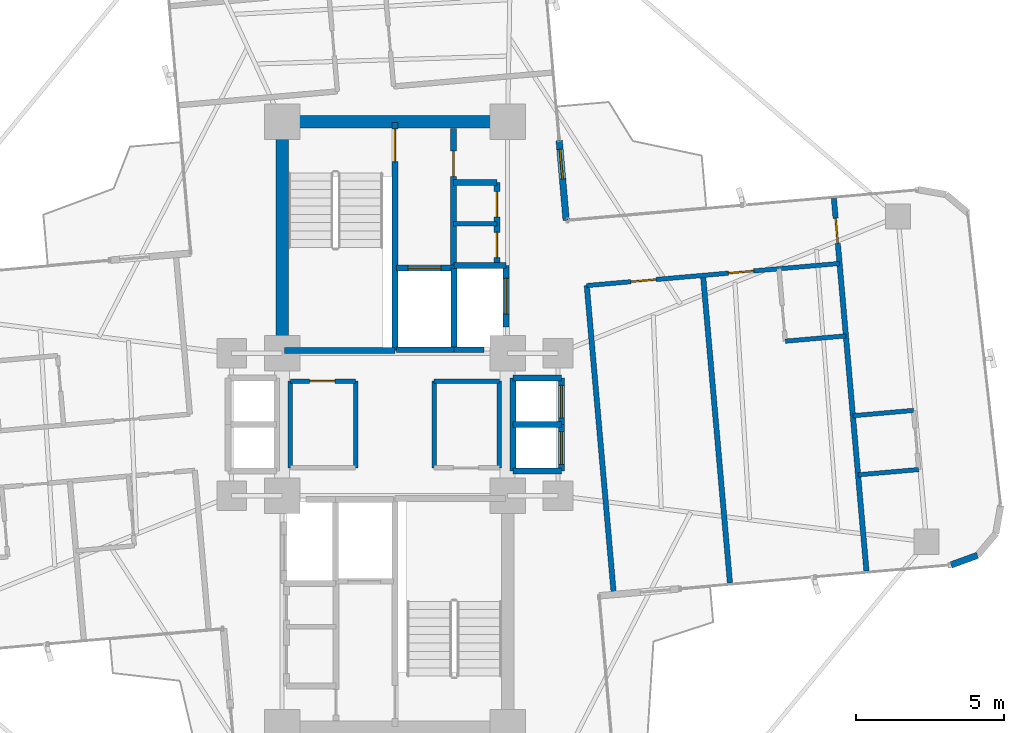
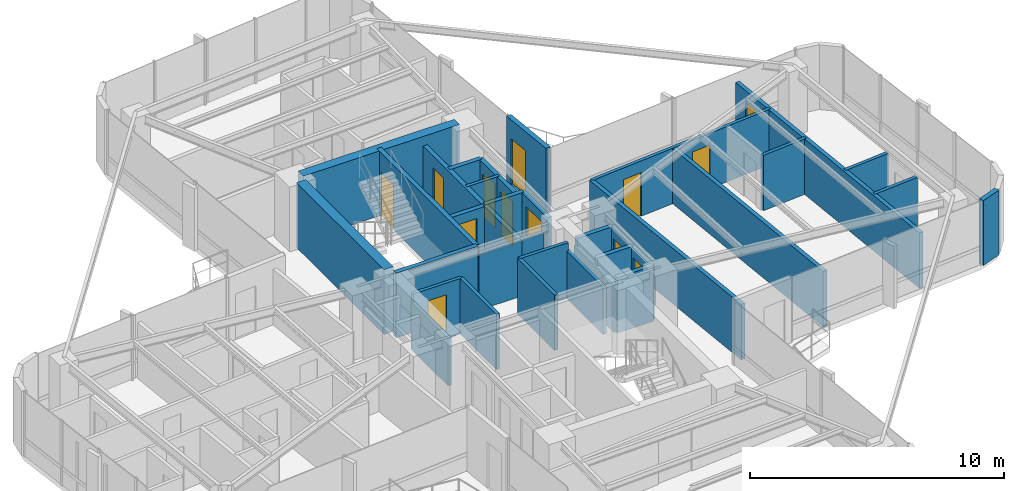
# One storey, part 22 of 24: 35 walls, 13 doors, 13 openings.
"""IFC4 building model written with IfcOpenShell, lengths in metres."""

from ifc_helpers import new_model, si_unit, direction, frame, frame_2d, origin, origin_2d, place, context, subcontext, project, spatial, rectangle, extrude, source, transform, mapped, material, layer, layer_set, type_object, element, fill, save


model = new_model("IFC4")

# Units and contexts
model_context = context("Model", 3, precision=1e-05, world=origin(), true_north=direction((0.0, 1.0)))
body_context = subcontext(model_context, "Body", "Model", "MODEL_VIEW")
ifc_project = project(units=[si_unit("LENGTHUNIT", "METRE"), si_unit("AREAUNIT", "SQUARE_METRE"), si_unit("VOLUMEUNIT", "CUBIC_METRE"), si_unit("PLANEANGLEUNIT", "RADIAN"), si_unit("MASSUNIT", "GRAM", prefix="KILO")], contexts=[model_context])

# Site, building, storey
site_placement = place(None, origin())
site = spatial("IfcSite", under=ifc_project, at=site_placement, CompositionType="ELEMENT")
building_placement = place(site_placement, origin())
building = spatial("IfcBuilding", under=site, at=building_placement, Name="Sahyath Konkavel Grand Hotel", CompositionType="ELEMENT")
storey_placement = place(building_placement, frame((0.0, 0.0, 178.550048828125)))
storey = spatial("IfcBuildingStorey", under=building, at=storey_placement, Name="L49", CompositionType="ELEMENT", Elevation=178.550048828125)

# Walls
ifc_material_1 = material(Name="Concrete C50/60", Category="concrete")
ifc_layer_1 = layer(ifc_material_1, 0.419921875)
ifc_layer_set_1 = layer_set([ifc_layer_1], Name="Concrete C50/60")
wall_type_1 = type_object("IfcWallType", Name="CWALL-420", PredefinedType="SHEAR", material=ifc_layer_set_1)
wall_1_placement = place(storey_placement, frame((-3.550048828125, 10.199951171875, 0.0), z_axis=(0.0, 0.0, 1.0), x_axis=(1.0, 0.0, 0.0)))
element("IfcWall", 1, at=wall_1_placement, inside=storey, type_object=wall_type_1, Name="L49 North Core Shear Wall N", PredefinedType="SHEAR", context=body_context, shape_type="SweptSolid", body=[
    extrude(rectangle(XDim=7.10009765625, YDim=0.419921875, at=frame_2d((3.550048828125, 0.0))), origin(), (0.0, 0.0, 1.0), 3.10986328125),
])
wall_2_placement = place(storey_placement, frame((-3.800048828125, 2.85009765625, 0.0), z_axis=(0.0, 0.0, 1.0), x_axis=(0.0, 1.0, 0.0)))
element("IfcWall", 2, at=wall_2_placement, inside=storey, type_object=wall_type_1, Name="L49 North Core Shear Wall W", PredefinedType="SHEAR", context=body_context, shape_type="SweptSolid", body=[
    extrude(rectangle(XDim=6.89990234375, YDim=0.419921875, at=frame_2d((3.449951171875, 0.0))), origin(), (0.0, 0.0, 1.0), 3.10986328125),
])
ifc_material_2 = material(Name="Warm Buff Sandstone Insulated Concrete C40/50", Category="masonry")
ifc_layer_2 = layer(ifc_material_2, 0.219970703125)
ifc_layer_set_2 = layer_set([ifc_layer_2], Name="Warm Buff Sandstone Insulated Concrete C40/50")
wall_type_2 = type_object("IfcWallType", Name="WLL-BALC-THRESH", PredefinedType="STANDARD", material=ifc_layer_set_2)
wall_3_placement = place(storey_placement, frame((18.73388671875, -4.735107421875, 0.0), z_axis=(0.0, 0.0, 1.0), x_axis=(0.939741306239, 0.34188635151, 0.0)))
element("IfcWall", 3, at=wall_3_placement, inside=storey, type_object=wall_type_2, Name="L49 Rounded Corner Sandstone Pier 1", PredefinedType="STANDARD", context=body_context, shape_type="SweptSolid", body=[
    extrude(rectangle(XDim=0.95751953125, YDim=0.219970703125, at=frame_2d((0.478759765625, 0.0))), origin(), (0.0, 0.0, 1.0), 3.10986328125),
])

# Wall, opening, door
wall_4_placement = place(storey_placement, frame((5.7724609375, 6.87939453125, 0.0), z_axis=(0.0, 0.0, 1.0), x_axis=(-0.087168071984, 0.996193619346, 0.0)))
wall_4 = element("IfcWall", 4, at=wall_4_placement, inside=storey, type_object=wall_type_2, Name="L49 Winter-Garden Threshold Wall 8", PredefinedType="STANDARD", context=body_context, shape_type="SweptSolid", body=[
    extrude(rectangle(XDim=2.699951171875, YDim=0.219970703125, at=frame_2d((1.35009765625, 0.0))), origin(), (0.0, 0.0, 1.0), 3.10986328125),
])
opening_1_placement = place(wall_4_placement, frame((1.39990234375, 0.0, 0.0)))
opening_1 = element("IfcOpeningElement", 5, at=opening_1_placement, cuts=wall_4, Name="Opening D-TR1", PredefinedType="OPENING", context=body_context, shape_type="SweptSolid", body=[
    extrude(rectangle(XDim=1.0, YDim=2.199951171875, at=frame_2d((0.5, 1.10009765625))), frame((0.0, 0.1201171875, 0.0), z_axis=(0.0, -1.0, 0.0), x_axis=(1.0, 0.0, 0.0)), (0.0, 0.0, 1.0), 0.239990234375),
])
ifc_material_3 = material(Name="Anodised Bronze Aluminium & Low-E Glazing", Category="aluminium")
door_type_1 = type_object("IfcDoorType", Name="DR-TERRACE-1000", OperationType="NOTDEFINED", PredefinedType="DOOR", material=ifc_material_3)
shared_shape_1 = source(origin(), body_context, "Body", "SweptSolid", [
    extrude(rectangle(XDim=1.0, YDim=0.050048828125, at=origin_2d()), origin(), (0.0, 0.0, 1.0), 2.199951171875),
])
door_1_placement = place(opening_1_placement, frame((0.5, 0.0, 0.0)))
door_1 = element("IfcDoor", 6, at=door_1_placement, inside=storey, type_object=door_type_1, Name="L49 Winter-Garden Terrace Door 8", OperationType="SINGLE_SWING_LEFT", OverallHeight=2.199951171875, OverallWidth=1.0, PredefinedType="DOOR", context=body_context, shape_type="MappedRepresentation", body=[
    mapped(shared_shape_1, transform((0.0, 0.0, 0.0), scale=1.0)),
])
fill(opening_1, door_1)

ifc_material_4 = material(Name="Concrete C40/50", Category="concrete")
ifc_layer_3 = layer(ifc_material_4, 0.199951171875)
ifc_layer_set_3 = layer_set([ifc_layer_3], Name="Concrete C40/50")
wall_type_3 = type_object("IfcWallType", Name="WLL-CORE-200", PredefinedType="SOLIDWALL", material=ifc_layer_set_3)
wall_5_placement = place(storey_placement, frame((0.0, 2.5, 0.0), z_axis=(0.0, 0.0, 1.0), x_axis=(0.0, 1.0, 0.0)))
wall_5 = element("IfcWall", 7, at=wall_5_placement, inside=storey, type_object=wall_type_3, Name="L49 Stair ST-1 Shaft Wall E", PredefinedType="SOLIDWALL", context=body_context, shape_type="SweptSolid", body=[
    extrude(rectangle(XDim=7.679931640625, YDim=0.199951171875, at=frame_2d((3.83984375, 0.0))), origin(), (0.0, 0.0, 1.0), 3.10986328125),
])
opening_2_placement = place(wall_5_placement, frame((6.360107421875, 0.0, 0.0)))
opening_2 = element("IfcOpeningElement", 8, at=opening_2_placement, cuts=wall_5, Name="Opening D-F12B", PredefinedType="OPENING", context=body_context, shape_type="SweptSolid", body=[
    extrude(rectangle(XDim=1.10009765625, YDim=2.14990234375, at=frame_2d((0.550048828125, 1.074951171875))), frame((0.0, 0.10986328125, 0.0), z_axis=(0.0, -1.0, 0.0), x_axis=(1.0, 0.0, 0.0)), (0.0, 0.0, 1.0), 0.219970703125),
])
ifc_material_5 = material(Name="Steel E350 Smokeproof Fire Door", Category="steel")
door_type_2 = type_object("IfcDoorType", Name="DR-FD120-1100", OperationType="NOTDEFINED", PredefinedType="DOOR", material=ifc_material_5)
shared_shape_2 = source(origin(), body_context, "Body", "SweptSolid", [
    extrude(rectangle(XDim=1.10009765625, YDim=0.050048828125, at=origin_2d()), origin(), (0.0, 0.0, 1.0), 2.14990234375),
])
door_2_placement = place(opening_2_placement, frame((0.550048828125, 0.0, 0.0)))
door_2 = element("IfcDoor", 9, at=door_2_placement, inside=storey, type_object=door_type_2, Name="L49 Stair ST-1 Fire Door", OperationType="SINGLE_SWING_LEFT", OverallHeight=2.14990234375, OverallWidth=1.10009765625, PredefinedType="DOOR", context=body_context, shape_type="MappedRepresentation", body=[
    mapped(shared_shape_2, transform((0.0, 0.0, 0.0), scale=1.0)),
])
fill(opening_2, door_2)

# Wall
wall_6_placement = place(storey_placement, frame((-3.719970703125, 2.5, 0.0), z_axis=(0.0, 0.0, 1.0), x_axis=(1.0, 0.0, 0.0)))
element("IfcWall", 10, at=wall_6_placement, inside=storey, type_object=wall_type_3, Name="L49 Stair ST-1 Shaft Wall S", PredefinedType="SOLIDWALL", context=body_context, shape_type="SweptSolid", body=[
    extrude(rectangle(XDim=3.719970703125, YDim=0.199951171875, at=frame_2d((1.85986328125, 0.0))), origin(), (0.0, 0.0, 1.0), 3.10986328125),
])

# Wall, opening, door
wall_7_placement = place(storey_placement, frame((1.97998046875, 5.320068359375, 0.0), z_axis=(0.0, 0.0, 1.0), x_axis=(0.0, 1.0, 0.0)))
wall_7 = element("IfcWall", 11, at=wall_7_placement, inside=storey, type_object=wall_type_3, Name="L49 North Firefighting Lobby Wall E", PredefinedType="SOLIDWALL", context=body_context, shape_type="SweptSolid", body=[
    extrude(rectangle(XDim=4.659912109375, YDim=0.199951171875, at=frame_2d((2.330078125, 0.0))), origin(), (0.0, 0.0, 1.0), 2.659912109375),
])
opening_3_placement = place(wall_7_placement, frame((3.0400390625, 0.0, 0.0)))
opening_3 = element("IfcOpeningElement", 12, at=opening_3_placement, cuts=wall_7, Name="Opening D-F12D", PredefinedType="OPENING", context=body_context, shape_type="SweptSolid", body=[
    extrude(rectangle(XDim=0.85009765625, YDim=2.10009765625, at=frame_2d((0.425048828125, 1.050048828125))), frame((0.0, 0.10986328125, 0.0), z_axis=(0.0, -1.0, 0.0), x_axis=(1.0, 0.0, 0.0)), (0.0, 0.0, 1.0), 0.219970703125),
])
ifc_material_6 = material(Name="Steel E350 Core Fire Door", Category="steel")
door_type_3 = type_object("IfcDoorType", Name="DR-FD120-850", OperationType="NOTDEFINED", PredefinedType="DOOR", material=ifc_material_6)
shared_shape_3 = source(origin(), body_context, "Body", "SweptSolid", [
    extrude(rectangle(XDim=0.85009765625, YDim=0.050048828125, at=origin_2d()), origin(), (0.0, 0.0, 1.0), 2.10009765625),
])
door_3_placement = place(opening_3_placement, frame((0.425048828125, 0.0, 0.0)))
door_3 = element("IfcDoor", 13, at=door_3_placement, inside=storey, type_object=door_type_3, Name="L49 North Firefighting Lobby Door", OperationType="SINGLE_SWING_LEFT", OverallHeight=2.10009765625, OverallWidth=0.85009765625, PredefinedType="DOOR", context=body_context, shape_type="MappedRepresentation", body=[
    mapped(shared_shape_3, transform((0.0, 0.0, 0.0), scale=1.0)),
])
fill(opening_3, door_3)

# Walls
wall_8_placement = place(storey_placement, frame((2.0, 2.5, 0.0), z_axis=(0.0, 0.0, 1.0), x_axis=(0.0, 1.0, 0.0)))
element("IfcWall", 14, at=wall_8_placement, inside=storey, type_object=wall_type_3, Name="L49 Partition SH-FFL1-E", PredefinedType="SOLIDWALL", context=body_context, shape_type="SweptSolid", body=[
    extrude(rectangle(XDim=2.780029296875, YDim=0.199951171875, at=frame_2d((1.39013671875, 0.0))), origin(), (0.0, 0.0, 1.0), 2.659912109375),
])
wall_9_placement = place(storey_placement, frame((0.050048828125, 2.52001953125, 0.0), z_axis=(0.0, 0.0, 1.0), x_axis=(1.0, 0.0, 0.0)))
element("IfcWall", 15, at=wall_9_placement, inside=storey, type_object=wall_type_3, Name="L49 Partition SH-FFL1-S", PredefinedType="SOLIDWALL", context=body_context, shape_type="SweptSolid", body=[
    extrude(rectangle(XDim=1.949951171875, YDim=0.199951171875, at=frame_2d((0.97509765625, 0.0))), origin(), (0.0, 0.0, 1.0), 2.659912109375),
])

# Wall, opening, door
wall_10_placement = place(storey_placement, frame((0.050048828125, 5.280029296875, 0.0), z_axis=(0.0, 0.0, 1.0), x_axis=(1.0, 0.0, 0.0)))
wall_10 = element("IfcWall", 16, at=wall_10_placement, inside=storey, type_object=wall_type_3, Name="L49 Partition SH-FFL1-N", PredefinedType="SOLIDWALL", context=body_context, shape_type="SweptSolid", body=[
    extrude(rectangle(XDim=1.929931640625, YDim=0.199951171875, at=frame_2d((0.96484375, 0.0))), origin(), (0.0, 0.0, 1.0), 2.659912109375),
])
opening_4_placement = place(wall_10_placement, frame((0.39990234375, 0.0, 0.0)))
opening_4 = element("IfcOpeningElement", 17, at=opening_4_placement, cuts=wall_10, Name="Opening LD-11", PredefinedType="OPENING", context=body_context, shape_type="SweptSolid", body=[
    extrude(rectangle(XDim=1.10009765625, YDim=2.199951171875, at=frame_2d((0.550048828125, 1.10009765625))), frame((0.0, 0.10986328125, 0.0), z_axis=(0.0, -1.0, 0.0), x_axis=(1.0, 0.0, 0.0)), (0.0, 0.0, 1.0), 0.219970703125),
])
ifc_material_7 = material(Name="Bronze Lift Landing Door 1100")
door_type_4 = type_object("IfcDoorType", Name="DR-LIFT-1100", OperationType="DOUBLE_DOOR_SLIDING", PredefinedType="DOOR", material=ifc_material_7)
shared_shape_4 = source(origin(), body_context, "Body", "SweptSolid", [
    extrude(rectangle(XDim=1.10009765625, YDim=0.050048828125, at=origin_2d()), origin(), (0.0, 0.0, 1.0), 2.199951171875),
])
door_4_placement = place(opening_4_placement, frame((0.550048828125, 0.0, 0.0)))
door_4 = element("IfcDoor", 18, at=door_4_placement, inside=storey, type_object=door_type_4, Name="L49 Lift FFL-1 Landing Door", OperationType="DOUBLE_DOOR_SLIDING", OverallHeight=2.199951171875, OverallWidth=1.10009765625, PredefinedType="DOOR", context=body_context, shape_type="MappedRepresentation", body=[
    mapped(shared_shape_4, transform((0.0, 0.0, 0.0), scale=1.0)),
])
fill(opening_4, door_4)

# Walls
wall_11_placement = place(storey_placement, frame((2.0, 2.52001953125, 0.0), z_axis=(0.0, 0.0, 1.0), x_axis=(1.0, 0.0, 0.0)))
element("IfcWall", 19, at=wall_11_placement, inside=storey, type_object=wall_type_3, Name="L49 Partition SH-SVL1-S", PredefinedType="SOLIDWALL", context=body_context, shape_type="SweptSolid", body=[
    extrude(rectangle(XDim=1.0, YDim=0.199951171875, at=frame_2d((0.5, 0.0))), origin(), (0.0, 0.0, 1.0), 2.659912109375),
])
wall_12_placement = place(storey_placement, frame((2.0, 5.360107421875, 0.0), z_axis=(0.0, 0.0, 1.0), x_axis=(1.0, 0.0, 0.0)))
element("IfcWall", 20, at=wall_12_placement, inside=storey, type_object=wall_type_3, Name="L49 Partition SH-SVL1-N", PredefinedType="SOLIDWALL", context=body_context, shape_type="SweptSolid", body=[
    extrude(rectangle(XDim=1.739990234375, YDim=0.199951171875, at=frame_2d((0.8701171875, 0.0))), origin(), (0.0, 0.0, 1.0), 2.659912109375),
])

# Wall, opening, door
wall_13_placement = place(storey_placement, frame((3.739990234375, 3.280029296875, 0.0), z_axis=(0.0, 0.0, 1.0), x_axis=(0.0, 1.0, 0.0)))
wall_13 = element("IfcWall", 21, at=wall_13_placement, inside=storey, type_object=wall_type_3, Name="L49 Partition SH-SVL1-E", PredefinedType="SOLIDWALL", context=body_context, shape_type="SweptSolid", body=[
    extrude(rectangle(XDim=2.080078125, YDim=0.199951171875, at=frame_2d((1.0400390625, 0.0))), origin(), (0.0, 0.0, 1.0), 2.659912109375),
])
opening_5_placement = place(wall_13_placement, frame((0.43994140625, 0.0, 0.0)))
opening_5 = element("IfcOpeningElement", 22, at=opening_5_placement, cuts=wall_13, Name="Opening LD-12", PredefinedType="OPENING", context=body_context, shape_type="SweptSolid", body=[
    extrude(rectangle(XDim=1.199951171875, YDim=2.199951171875, at=frame_2d((0.60009765625, 1.10009765625))), frame((0.0, 0.10986328125, 0.0), z_axis=(0.0, -1.0, 0.0), x_axis=(1.0, 0.0, 0.0)), (0.0, 0.0, 1.0), 0.219970703125),
])
ifc_material_8 = material(Name="Stainless Steel Lift Landing Door 1200", Category="steel")
door_type_5 = type_object("IfcDoorType", Name="DR-LIFT-1200", OperationType="DOUBLE_DOOR_SLIDING", PredefinedType="DOOR", material=ifc_material_8)
shared_shape_5 = source(origin(), body_context, "Body", "SweptSolid", [
    extrude(rectangle(XDim=1.199951171875, YDim=0.050048828125, at=origin_2d()), origin(), (0.0, 0.0, 1.0), 2.199951171875),
])
door_5_placement = place(opening_5_placement, frame((0.60009765625, 0.0, 0.0)))
door_5 = element("IfcDoor", 23, at=door_5_placement, inside=storey, type_object=door_type_5, Name="L49 Service Lift SVL-1 Landing Door", OperationType="DOUBLE_DOOR_SLIDING", OverallHeight=2.199951171875, OverallWidth=1.199951171875, PredefinedType="DOOR", context=body_context, shape_type="MappedRepresentation", body=[
    mapped(shared_shape_5, transform((0.0, 0.0, 0.0), scale=1.0)),
])
fill(opening_5, door_5)

# Walls
wall_14_placement = place(storey_placement, frame((3.97998046875, -1.56005859375, 0.0), z_axis=(0.0, 0.0, 1.0), x_axis=(0.0, 1.0, 0.0)))
element("IfcWall", 24, at=wall_14_placement, inside=storey, type_object=wall_type_3, Name="L49 Partition SH-PL56-W", PredefinedType="SOLIDWALL", context=body_context, shape_type="SweptSolid", body=[
    extrude(rectangle(XDim=3.1201171875, YDim=0.199951171875, at=frame_2d((1.56005859375, 0.0))), origin(), (0.0, 0.0, 1.0), 2.280029296875),
])
for number, where, z_axis, x_axis, name in (
    (25, (3.97998046875, 1.56005859375, 0.0), (0.0, 0.0, 1.0), (1.0, 0.0, 0.0), "L49 Partition SH-PL56-N"),
    (26, (3.97998046875, -1.56005859375, 0.0), (0.0, 0.0, 1.0), (1.0, 0.0, 0.0), "L49 Partition SH-PL56-S"),
    (27, (3.97998046875, 0.0, 0.0), (0.0, 0.0, 1.0), (1.0, 0.0, 0.0), "L49 Partition SH-PL56-M"),
):
    element("IfcWall", number, at=place(storey_placement, frame(where, z_axis=z_axis, x_axis=x_axis)), inside=storey, type_object=wall_type_3, Name=name, PredefinedType="SOLIDWALL", context=body_context, shape_type="SweptSolid", body=[
        extrude(rectangle(XDim=1.64013671875, YDim=0.199951171875, at=frame_2d((0.820068359375, 0.0))), origin(), (0.0, 0.0, 1.0), 2.659912109375),
    ])

# Wall, opening, door
wall_15_placement = place(storey_placement, frame((5.6201171875, 0.0, 0.0), z_axis=(0.0, 0.0, 1.0), x_axis=(0.0, 1.0, 0.0)))
wall_15 = element("IfcWall", 28, at=wall_15_placement, inside=storey, type_object=wall_type_3, Name="L49 Partition SH-PL5-E", PredefinedType="SOLIDWALL", context=body_context, shape_type="SweptSolid", body=[
    extrude(rectangle(XDim=1.56005859375, YDim=0.199951171875, at=frame_2d((0.780029296875, 0.0))), origin(), (0.0, 0.0, 1.0), 2.659912109375),
])
opening_6_placement = place(wall_15_placement, frame((0.219970703125, 0.0, 0.0)))
opening_6 = element("IfcOpeningElement", 29, at=opening_6_placement, cuts=wall_15, Name="Opening LD-11", PredefinedType="OPENING", context=body_context, shape_type="SweptSolid", body=[
    extrude(rectangle(XDim=1.10009765625, YDim=2.199951171875, at=frame_2d((0.550048828125, 1.10009765625))), frame((0.0, 0.10986328125, 0.0), z_axis=(0.0, -1.0, 0.0), x_axis=(1.0, 0.0, 0.0)), (0.0, 0.0, 1.0), 0.219970703125),
])
door_6_placement = place(opening_6_placement, frame((0.550048828125, 0.0, 0.0)))
door_6 = element("IfcDoor", 30, at=door_6_placement, inside=storey, type_object=door_type_4, Name="L49 High-Rise Lift PL-5 Landing Door", OperationType="DOUBLE_DOOR_SLIDING", OverallHeight=2.199951171875, OverallWidth=1.10009765625, PredefinedType="DOOR", context=body_context, shape_type="MappedRepresentation", body=[
    mapped(shared_shape_4, transform((0.0, 0.0, 0.0), scale=1.0)),
])
fill(opening_6, door_6)

wall_16_placement = place(storey_placement, frame((5.6201171875, -1.56005859375, 0.0), z_axis=(0.0, 0.0, 1.0), x_axis=(0.0, 1.0, 0.0)))
wall_16 = element("IfcWall", 31, at=wall_16_placement, inside=storey, type_object=wall_type_3, Name="L49 Partition SH-PL6-E", PredefinedType="SOLIDWALL", context=body_context, shape_type="SweptSolid", body=[
    extrude(rectangle(XDim=1.56005859375, YDim=0.199951171875, at=frame_2d((0.780029296875, 0.0))), origin(), (0.0, 0.0, 1.0), 2.659912109375),
])
opening_7_placement = place(wall_16_placement, frame((0.219970703125, 0.0, 0.0)))
opening_7 = element("IfcOpeningElement", 32, at=opening_7_placement, cuts=wall_16, Name="Opening LD-11", PredefinedType="OPENING", context=body_context, shape_type="SweptSolid", body=[
    extrude(rectangle(XDim=1.10009765625, YDim=2.199951171875, at=frame_2d((0.550048828125, 1.10009765625))), frame((0.0, 0.10986328125, 0.0), z_axis=(0.0, -1.0, 0.0), x_axis=(1.0, 0.0, 0.0)), (0.0, 0.0, 1.0), 0.219970703125),
])
door_7_placement = place(opening_7_placement, frame((0.550048828125, 0.0, 0.0)))
door_7 = element("IfcDoor", 33, at=door_7_placement, inside=storey, type_object=door_type_4, Name="L49 High-Rise Lift PL-6 Landing Door", OperationType="DOUBLE_DOOR_SLIDING", OverallHeight=2.199951171875, OverallWidth=1.10009765625, PredefinedType="DOOR", context=body_context, shape_type="MappedRepresentation", body=[
    mapped(shared_shape_4, transform((0.0, 0.0, 0.0), scale=1.0)),
])
fill(opening_7, door_7)

# Wall, openings, doors
wall_17_placement = place(storey_placement, frame((3.43994140625, 5.3798828125, 0.0), z_axis=(0.0, 0.0, 1.0), x_axis=(0.0, 1.0, 0.0)))
wall_17 = element("IfcWall", 34, at=wall_17_placement, inside=storey, type_object=wall_type_3, Name="L49 Reclaimed North Core Wall E", PredefinedType="SOLIDWALL", context=body_context, shape_type="SweptSolid", body=[
    extrude(rectangle(XDim=2.77001953125, YDim=0.199951171875, at=frame_2d((1.385009765625, 0.0))), origin(), (0.0, 0.0, 1.0), 2.659912109375),
])
opening_8_placement = place(wall_17_placement, frame((0.239990234375, 0.0, 0.0)))
opening_8 = element("IfcOpeningElement", 35, at=opening_8_placement, cuts=wall_17, Name="Opening D-F06D", PredefinedType="OPENING", context=body_context, shape_type="SweptSolid", body=[
    extrude(rectangle(XDim=0.85009765625, YDim=2.10009765625, at=frame_2d((0.425048828125, 1.050048828125))), frame((0.0, 0.10986328125, 0.0), z_axis=(0.0, -1.0, 0.0), x_axis=(1.0, 0.0, 0.0)), (0.0, 0.0, 1.0), 0.219970703125),
])
opening_9_placement = place(wall_17_placement, frame((1.6201171875, 0.0, 0.0)))
opening_9 = element("IfcOpeningElement", 36, at=opening_9_placement, cuts=wall_17, Name="Opening D-F06D", PredefinedType="OPENING", context=body_context, shape_type="SweptSolid", body=[
    extrude(rectangle(XDim=0.85009765625, YDim=2.10009765625, at=frame_2d((0.425048828125, 1.050048828125))), frame((0.0, 0.10986328125, 0.0), z_axis=(0.0, -1.0, 0.0), x_axis=(1.0, 0.0, 0.0)), (0.0, 0.0, 1.0), 0.219970703125),
])
ifc_material_9 = material(Name="Fire-Rated Shaft Access Door")
door_type_6 = type_object("IfcDoorType", Name="DR-FD60-850", OperationType="NOTDEFINED", PredefinedType="DOOR", material=ifc_material_9)
door_8_placement = place(opening_8_placement, frame((0.425048828125, 0.0, 0.0)))
door_8 = element("IfcDoor", 37, at=door_8_placement, inside=storey, type_object=door_type_6, Name="L49 Door NC-REC1-D", OperationType="SINGLE_SWING_LEFT", OverallHeight=2.10009765625, OverallWidth=0.85009765625, PredefinedType="DOOR", context=body_context, shape_type="MappedRepresentation", body=[
    mapped(shared_shape_3, transform((0.0, 0.0, 0.0), scale=1.0)),
])
fill(opening_8, door_8)
door_9_placement = place(opening_9_placement, frame((0.425048828125, 0.0, 0.0)))
door_9 = element("IfcDoor", 38, at=door_9_placement, inside=storey, type_object=door_type_6, Name="L49 Door NC-REC2-D", OperationType="SINGLE_SWING_RIGHT", OverallHeight=2.10009765625, OverallWidth=0.85009765625, PredefinedType="DOOR", context=body_context, shape_type="MappedRepresentation", body=[
    mapped(shared_shape_3, transform((0.0, 0.0, 0.0), scale=1.0)),
])
fill(opening_9, door_9)

# Walls
wall_18_placement = place(storey_placement, frame((1.97998046875, 8.14990234375, 0.0), z_axis=(0.0, 0.0, 1.0), x_axis=(1.0, 0.0, 0.0)))
element("IfcWall", 39, at=wall_18_placement, inside=storey, type_object=wall_type_3, Name="L49 Partition NC-REC-N", PredefinedType="SOLIDWALL", context=body_context, shape_type="SweptSolid", body=[
    extrude(rectangle(XDim=1.4599609375, YDim=0.199951171875, at=frame_2d((0.72998046875, 0.0))), origin(), (0.0, 0.0, 1.0), 2.659912109375),
])
ifc_material_10 = material(Name="Twin-Stud Acoustic Gypsum Plasterboard Partition")
ifc_layer_4 = layer(ifc_material_10, 0.179931640625)
ifc_layer_set_4 = layer_set([ifc_layer_4], Name="Twin-Stud Acoustic Gypsum Plasterboard Partition")
wall_type_4 = type_object("IfcWallType", Name="WLL-DEMISE-180", PredefinedType="PARTITIONING", material=ifc_layer_set_4)
for number, where, z_axis, x_axis, name in (
    (40, (7.373046875, -5.678955078125, 0.0), (0.0, 0.0, 1.0), (-0.087163455754, 0.996194023261, 0.0), "L49 Partition E-G5I"),
    (41, (10.384521484375, 5.024169921875, 0.0), (0.0, 0.0, 1.0), (0.087163455754, -0.996194023261, 0.0), "L49 Partition E-ED1-DEM"),
):
    element("IfcWall", number, at=place(storey_placement, frame(where, z_axis=z_axis, x_axis=x_axis)), inside=storey, type_object=wall_type_4, Name=name, PredefinedType="PARTITIONING", context=body_context, shape_type="SweptSolid", body=[
        extrude(rectangle(XDim=10.39990234375, YDim=0.179931640625, at=frame_2d((5.199951171875, 0.0))), origin(), (0.0, 0.0, 1.0), 2.659912109375),
    ])

# Wall, opening, door
wall_19_placement = place(storey_placement, frame((15.890380859375, -4.933837890625, 0.0), z_axis=(0.0, 0.0, 1.0), x_axis=(-0.087154691724, 0.996194790044, 0.0)))
wall_19 = element("IfcWall", 42, at=wall_19_placement, inside=storey, type_object=wall_type_4, Name="L49 Partition E-ETIP-END", PredefinedType="PARTITIONING", context=body_context, shape_type="SweptSolid", body=[
    extrude(rectangle(XDim=12.599853515625, YDim=0.179931640625, at=frame_2d((6.2998046875, 0.0))), origin(), (0.0, 0.0, 1.0), 2.659912109375),
])
opening_10_placement = place(wall_19_placement, frame((11.074951171875, 0.0, 0.0)))
opening_10 = element("IfcOpeningElement", 43, at=opening_10_placement, cuts=wall_19, Name="Opening D-F06D", PredefinedType="OPENING", context=body_context, shape_type="SweptSolid", body=[
    extrude(rectangle(XDim=0.85009765625, YDim=2.10009765625, at=frame_2d((0.425048828125, 1.050048828125))), frame((0.0, 0.10009765625, 0.0), z_axis=(0.0, -1.0, 0.0), x_axis=(1.0, 0.0, 0.0)), (0.0, 0.0, 1.0), 0.199951171875),
])
door_10_placement = place(opening_10_placement, frame((0.425048828125, 0.0, 0.0)))
door_10 = element("IfcDoor", 44, at=door_10_placement, inside=storey, type_object=door_type_6, Name="L49 Door E-ETIP-ED", OperationType="SINGLE_SWING_LEFT", OverallHeight=2.10009765625, OverallWidth=0.85009765625, PredefinedType="DOOR", context=body_context, shape_type="MappedRepresentation", body=[
    mapped(shared_shape_3, transform((0.0, 0.0, 0.0), scale=1.0)),
])
fill(opening_10, door_10)

# Walls
ifc_material_11 = material(Name="Fire-Rated Gypsum Plasterboard Partition")
ifc_layer_5 = layer(ifc_material_11, 0.14990234375)
ifc_layer_set_5 = layer_set([ifc_layer_5], Name="Fire-Rated Gypsum Plasterboard Partition")
wall_type_5 = type_object("IfcWallType", Name="WLL-PART-150", PredefinedType="PARTITIONING", material=ifc_layer_set_5)
wall_20_placement = place(storey_placement, frame((1.97998046875, 6.77001953125, 0.0), z_axis=(0.0, 0.0, 1.0), x_axis=(1.0, 0.0, 0.0)))
element("IfcWall", 45, at=wall_20_placement, inside=storey, type_object=wall_type_5, Name="L49 Partition NC-REC-M1", PredefinedType="PARTITIONING", context=body_context, shape_type="SweptSolid", body=[
    extrude(rectangle(XDim=1.4599609375, YDim=0.14990234375, at=frame_2d((0.72998046875, 0.0))), origin(), (0.0, 0.0, 1.0), 2.659912109375),
])
wall_21_placement = place(storey_placement, frame((-1.320068359375, -1.4599609375, 0.0), z_axis=(0.0, 0.0, 1.0), x_axis=(0.0, 1.0, 0.0)))
element("IfcWall", 46, at=wall_21_placement, inside=storey, type_object=wall_type_5, Name="L49 Partition CC-1WI", PredefinedType="PARTITIONING", context=body_context, shape_type="SweptSolid", body=[
    extrude(rectangle(XDim=2.919921875, YDim=0.14990234375, at=frame_2d((1.4599609375, 0.0))), origin(), (0.0, 0.0, 1.0), 2.659912109375),
])
wall_22_placement = place(storey_placement, frame((-3.52001953125, -1.4599609375, 0.0), z_axis=(0.0, 0.0, 1.0), x_axis=(0.0, 1.0, 0.0)))
element("IfcWall", 47, at=wall_22_placement, inside=storey, type_object=wall_type_5, Name="L49 Partition CC-1WO", PredefinedType="PARTITIONING", context=body_context, shape_type="SweptSolid", body=[
    extrude(rectangle(XDim=2.919921875, YDim=0.14990234375, at=frame_2d((1.4599609375, 0.0))), origin(), (0.0, 0.0, 1.0), 2.280029296875),
])

# Wall, opening, door
wall_23_placement = place(storey_placement, frame((-3.52001953125, 1.4599609375, 0.0), z_axis=(0.0, 0.0, 1.0), x_axis=(1.0, 0.0, 0.0)))
wall_23 = element("IfcWall", 48, at=wall_23_placement, inside=storey, type_object=wall_type_5, Name="L49 Partition CC-1WN", PredefinedType="PARTITIONING", context=body_context, shape_type="SweptSolid", body=[
    extrude(rectangle(XDim=2.199951171875, YDim=0.14990234375, at=frame_2d((1.10009765625, 0.0))), origin(), (0.0, 0.0, 1.0), 2.659912109375),
])
opening_11_placement = place(wall_23_placement, frame((0.64990234375, 0.0, 0.0)))
opening_11 = element("IfcOpeningElement", 49, at=opening_11_placement, cuts=wall_23, Name="Opening D-F06D", PredefinedType="OPENING", context=body_context, shape_type="SweptSolid", body=[
    extrude(rectangle(XDim=0.85009765625, YDim=2.10009765625, at=frame_2d((0.425048828125, 1.050048828125))), frame((0.0, 0.0849609375, 0.0), z_axis=(0.0, -1.0, 0.0), x_axis=(1.0, 0.0, 0.0)), (0.0, 0.0, 1.0), 0.169921875),
])
door_11_placement = place(opening_11_placement, frame((0.425048828125, 0.0, 0.0)))
door_11 = element("IfcDoor", 50, at=door_11_placement, inside=storey, type_object=door_type_6, Name="L49 Door CC-D1W", OperationType="SINGLE_SWING_LEFT", OverallHeight=2.10009765625, OverallWidth=0.85009765625, PredefinedType="DOOR", context=body_context, shape_type="MappedRepresentation", body=[
    mapped(shared_shape_3, transform((0.0, 0.0, 0.0), scale=1.0)),
])
fill(opening_11, door_11)

# Walls
wall_24_placement = place(storey_placement, frame((1.320068359375, -1.4599609375, 0.0), z_axis=(0.0, 0.0, 1.0), x_axis=(0.0, 1.0, 0.0)))
element("IfcWall", 51, at=wall_24_placement, inside=storey, type_object=wall_type_5, Name="L49 Partition CC-1EI", PredefinedType="PARTITIONING", context=body_context, shape_type="SweptSolid", body=[
    extrude(rectangle(XDim=2.919921875, YDim=0.14990234375, at=frame_2d((1.4599609375, 0.0))), origin(), (0.0, 0.0, 1.0), 2.659912109375),
])
wall_25_placement = place(storey_placement, frame((3.52001953125, -1.4599609375, 0.0), z_axis=(0.0, 0.0, 1.0), x_axis=(0.0, 1.0, 0.0)))
element("IfcWall", 52, at=wall_25_placement, inside=storey, type_object=wall_type_5, Name="L49 Partition CC-1EO", PredefinedType="PARTITIONING", context=body_context, shape_type="SweptSolid", body=[
    extrude(rectangle(XDim=2.919921875, YDim=0.14990234375, at=frame_2d((1.4599609375, 0.0))), origin(), (0.0, 0.0, 1.0), 2.280029296875),
])
wall_26_placement = place(storey_placement, frame((1.320068359375, 1.4599609375, 0.0), z_axis=(0.0, 0.0, 1.0), x_axis=(1.0, 0.0, 0.0)))
element("IfcWall", 53, at=wall_26_placement, inside=storey, type_object=wall_type_5, Name="L49 Partition CC-1EN", PredefinedType="PARTITIONING", context=body_context, shape_type="SweptSolid", body=[
    extrude(rectangle(XDim=2.199951171875, YDim=0.14990234375, at=frame_2d((1.10009765625, 0.0))), origin(), (0.0, 0.0, 1.0), 2.659912109375),
])

# Wall, openings, doors
wall_27_placement = place(storey_placement, frame((6.466552734375, 4.681396484375, 0.0), z_axis=(0.0, 0.0, 1.0), x_axis=(0.996195452949, 0.087147114263, 0.0)))
wall_27 = element("IfcWall", 54, at=wall_27_placement, inside=storey, type_object=wall_type_5, Name="L49 Partition E-G5W", PredefinedType="PARTITIONING", context=body_context, shape_type="SweptSolid", body=[
    extrude(rectangle(XDim=8.550048828125, YDim=0.14990234375, at=frame_2d((4.27490234375, 0.0))), origin(), (0.0, 0.0, 1.0), 2.659912109375),
])
opening_12_placement = place(wall_27_placement, frame((1.490966796875, 0.0, 0.0)))
opening_12 = element("IfcOpeningElement", 55, at=opening_12_placement, cuts=wall_27, Name="Opening D-F06D", PredefinedType="OPENING", context=body_context, shape_type="SweptSolid", body=[
    extrude(rectangle(XDim=0.85009765625, YDim=2.10009765625, at=frame_2d((0.425048828125, 1.050048828125))), frame((0.0, 0.0849609375, 0.0), z_axis=(0.0, -1.0, 0.0), x_axis=(1.0, 0.0, 0.0)), (0.0, 0.0, 1.0), 0.169921875),
])
opening_13_placement = place(wall_27_placement, frame((4.7919921875, 0.0, 0.0)))
opening_13 = element("IfcOpeningElement", 56, at=opening_13_placement, cuts=wall_27, Name="Opening D-F06D", PredefinedType="OPENING", context=body_context, shape_type="SweptSolid", body=[
    extrude(rectangle(XDim=0.85009765625, YDim=2.10009765625, at=frame_2d((0.425048828125, 1.050048828125))), frame((0.0, 0.0849609375, 0.0), z_axis=(0.0, -1.0, 0.0), x_axis=(1.0, 0.0, 0.0)), (0.0, 0.0, 1.0), 0.169921875),
])
door_12_placement = place(opening_12_placement, frame((0.425048828125, 0.0, 0.0)))
door_12 = element("IfcDoor", 57, at=door_12_placement, inside=storey, type_object=door_type_6, Name="L49 Door E-ED1-D", OperationType="SINGLE_SWING_LEFT", OverallHeight=2.10009765625, OverallWidth=0.85009765625, PredefinedType="DOOR", context=body_context, shape_type="MappedRepresentation", body=[
    mapped(shared_shape_3, transform((0.0, 0.0, 0.0), scale=1.0)),
])
fill(opening_12, door_12)
door_13_placement = place(opening_13_placement, frame((0.425048828125, 0.0, 0.0)))
door_13 = element("IfcDoor", 58, at=door_13_placement, inside=storey, type_object=door_type_6, Name="L49 Door E-ED2-ED", OperationType="SINGLE_SWING_LEFT", OverallHeight=2.10009765625, OverallWidth=0.85009765625, PredefinedType="DOOR", context=body_context, shape_type="MappedRepresentation", body=[
    mapped(shared_shape_3, transform((0.0, 0.0, 0.0), scale=1.0)),
])
fill(opening_13, door_13)

# Walls
wall_28_placement = place(storey_placement, frame((13.155517578125, 2.807373046875, 0.0), z_axis=(0.0, 0.0, 1.0), x_axis=(0.99620250363, 0.087066478976, 0.0)))
element("IfcWall", 59, at=wall_28_placement, inside=storey, type_object=wall_type_5, Name="L49 Partition E-ED2-BF", PredefinedType="PARTITIONING", context=body_context, shape_type="SweptSolid", body=[
    extrude(rectangle(XDim=2.0498046875, YDim=0.14990234375, at=frame_2d((1.02490234375, 0.0))), origin(), (0.0, 0.0, 1.0), 2.659912109375),
])
for number, where, z_axis, x_axis, name in (
    (60, (15.432861328125, 0.296142578125, 0.0), (0.0, 0.0, 1.0), (0.99619307114, 0.087174336889, 0.0), "L49 Partition E-ETIP-BN"),
    (61, (15.607177734375, -1.6962890625, 0.0), (0.0, 0.0, 1.0), (0.99619307114, 0.087174336889, 0.0), "L49 Partition E-ETIP-BS"),
):
    element("IfcWall", number, at=place(storey_placement, frame(where, z_axis=z_axis, x_axis=x_axis)), inside=storey, type_object=wall_type_5, Name=name, PredefinedType="PARTITIONING", context=body_context, shape_type="SweptSolid", body=[
        extrude(rectangle(XDim=2.050048828125, YDim=0.14990234375, at=frame_2d((1.02490234375, 0.0))), origin(), (0.0, 0.0, 1.0), 2.659912109375),
    ])

save(model, "model.ifc")
